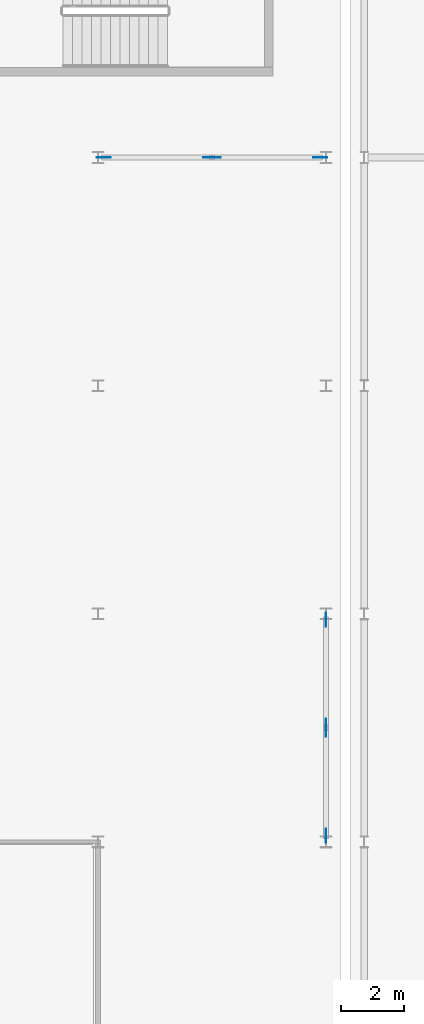
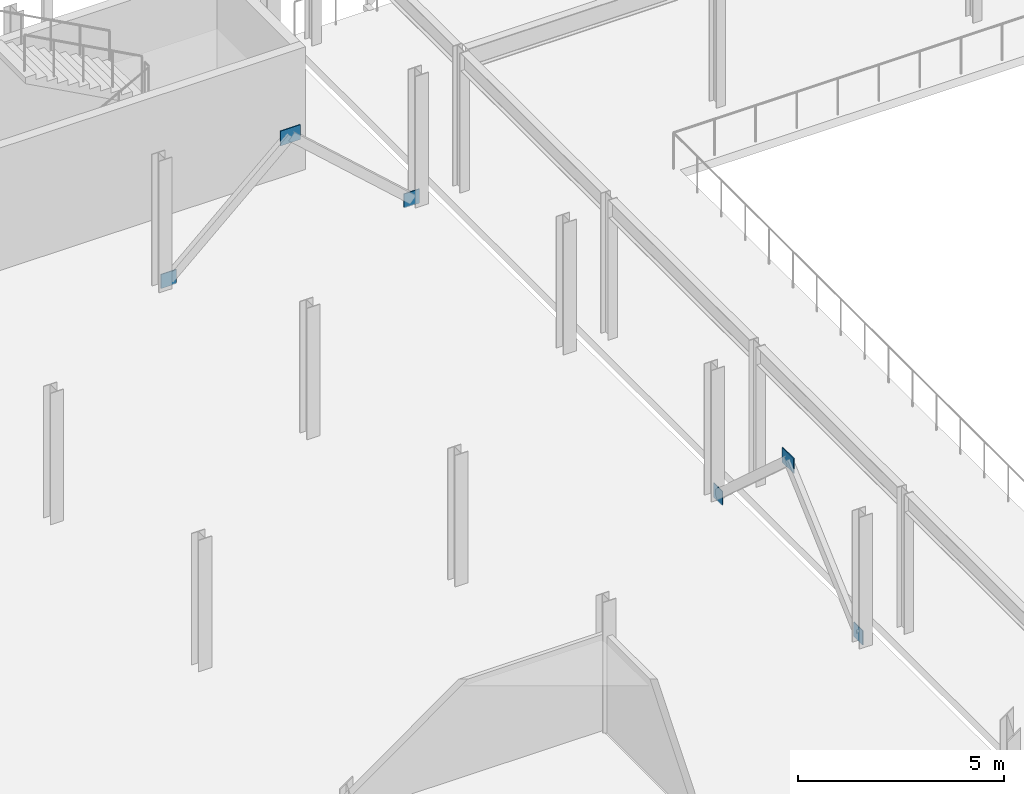
# One storey, part 26 of 40: 6 plates.
"""IFC4 building model written with IfcOpenShell, lengths in metres."""

from ifc_helpers import new_model, si_unit, direction, frame, origin, origin_2d, place, context, subcontext, project, spatial, rectangle, extrude, material, layer, layer_set, type_object, element, save


model = new_model("IFC4")

# Units and contexts
model_context = context("Model", 3, precision=1e-05, world=origin(), true_north=direction((0.0, 1.0)))
body_context = subcontext(model_context, "Body", "Model", "MODEL_VIEW")
ifc_project = project(units=[si_unit("LENGTHUNIT", "METRE"), si_unit("AREAUNIT", "SQUARE_METRE"), si_unit("VOLUMEUNIT", "CUBIC_METRE"), si_unit("PLANEANGLEUNIT", "RADIAN"), si_unit("MASSUNIT", "GRAM", prefix="KILO")], contexts=[model_context])

# Site, building, storey
site_placement = place(None, origin())
site = spatial("IfcSite", under=ifc_project, at=site_placement, CompositionType="ELEMENT")
building_placement = place(site_placement, origin())
building = spatial("IfcBuilding", under=site, at=building_placement, Name="Vaelcorin Mobility Hub", CompositionType="ELEMENT")
storey_placement = place(building_placement, frame((0.0, 0.0, 17.10009765625)))
storey = spatial("IfcBuildingStorey", under=building, at=storey_placement, Name="L04", CompositionType="ELEMENT", Elevation=17.10009765625)

# Plates
ifc_material = material(Name="Steel ASTM A572 Grade 50", Category="steel")
ifc_layer = layer(ifc_material, 0.02490234375)
ifc_layer_set = layer_set([ifc_layer], Name="Steel ASTM A572 Grade 50")
plate_type = type_object("IfcPlateType", Name="PL-GN3", PredefinedType="USERDEFINED", material=ifc_layer_set)
for number, where, z_axis, x_axis, name in (
    (1, (115.389892578125, 112.800048828125, -0.030029296875), (0.0, 0.0, 1.0), (1.0, 0.0, 0.0), "SCBF Gusset Plate GN3 V4-BX2-L04-A"),
    (2, (122.2099609375, 112.800048828125, -0.030029296875), (0.0, 0.0, 1.0), (1.0, 0.0, 0.0), "SCBF Gusset Plate GN3 V4-BX2-L04-B"),
):
    element("IfcPlate", number, at=place(storey_placement, frame(where, z_axis=z_axis, x_axis=x_axis)), inside=storey, type_object=plate_type, Name=name, ObjectType="GUSSET PLATE", PredefinedType="USERDEFINED", context=body_context, shape_type="SweptSolid", body=[
        extrude(rectangle(XDim=0.43994140625, YDim=0.02490234375, at=origin_2d()), origin(), (0.0, 0.0, 1.0), 0.419921875),
    ])
plate_1_placement = place(storey_placement, frame((118.800048828125, 112.800048828125, 3.030029296875), z_axis=(0.0, 0.0, 1.0), x_axis=(1.0, 0.0, 0.0)))
element("IfcPlate", 3, at=plate_1_placement, inside=storey, type_object=plate_type, Name="SCBF Apex Gusset GN3 V4-BX2-L04", ObjectType="GUSSET PLATE", PredefinedType="USERDEFINED", context=body_context, shape_type="SweptSolid", body=[
    extrude(rectangle(XDim=0.56005859375, YDim=0.02490234375, at=origin_2d()), origin(), (0.0, 0.0, 1.0), 0.43994140625),
])
for number, where, z_axis, x_axis, name in (
    (4, (122.39990234375, 91.389892578125, -0.030029296875), (0.0, 0.0, 1.0), (0.0, 1.0, 0.0), "SCBF Gusset Plate GN3 V4-BY2-L04-A"),
    (5, (122.39990234375, 98.2099609375, -0.030029296875), (0.0, 0.0, 1.0), (0.0, 1.0, 0.0), "SCBF Gusset Plate GN3 V4-BY2-L04-B"),
):
    element("IfcPlate", number, at=place(storey_placement, frame(where, z_axis=z_axis, x_axis=x_axis)), inside=storey, type_object=plate_type, Name=name, ObjectType="GUSSET PLATE", PredefinedType="USERDEFINED", context=body_context, shape_type="SweptSolid", body=[
        extrude(rectangle(XDim=0.43994140625, YDim=0.02490234375, at=origin_2d()), origin(), (0.0, 0.0, 1.0), 0.419921875),
    ])
plate_2_placement = place(storey_placement, frame((122.39990234375, 94.800048828125, 3.030029296875), z_axis=(0.0, 0.0, 1.0), x_axis=(0.0, 1.0, 0.0)))
element("IfcPlate", 6, at=plate_2_placement, inside=storey, type_object=plate_type, Name="SCBF Apex Gusset GN3 V4-BY2-L04", ObjectType="GUSSET PLATE", PredefinedType="USERDEFINED", context=body_context, shape_type="SweptSolid", body=[
    extrude(rectangle(XDim=0.56005859375, YDim=0.02490234375, at=origin_2d()), origin(), (0.0, 0.0, 1.0), 0.43994140625),
])

save(model, "model.ifc")
